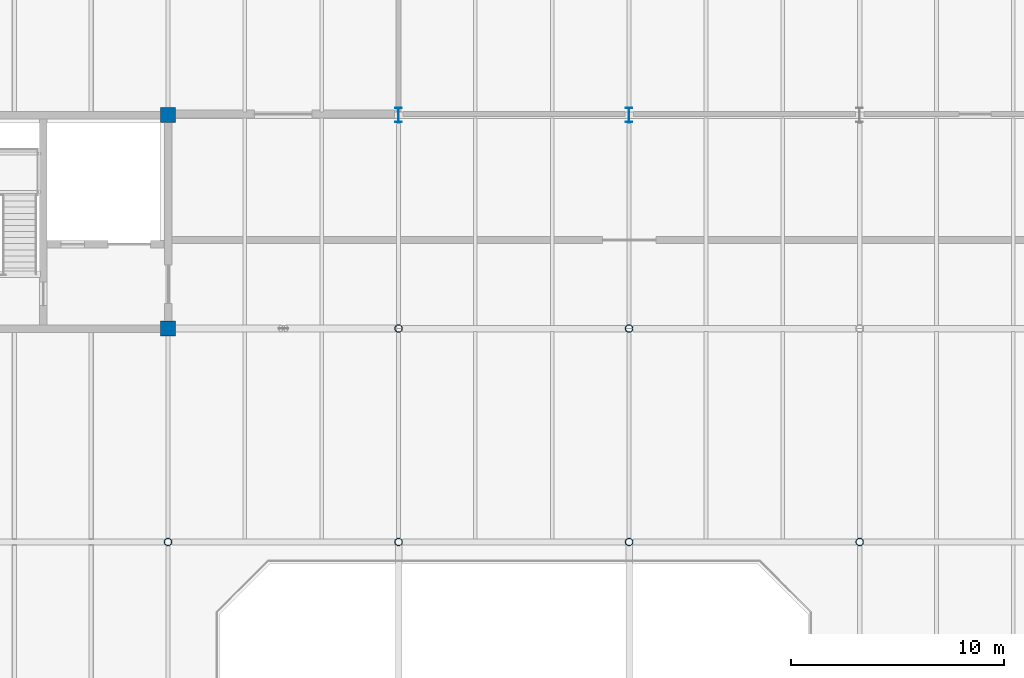
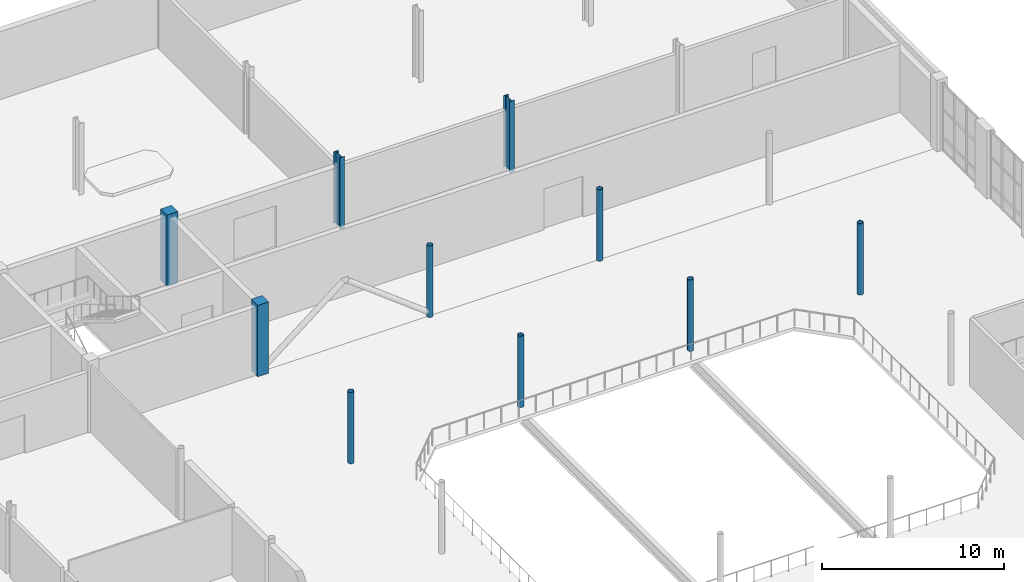
# One storey, part 12 of 92: 10 columns.
"""IFC4 building model written with IfcOpenShell, lengths in metres."""

import ifcopenshell
import ifcopenshell.guid

model = None  # the IFC model being written
_history = None  # IfcOwnerHistory: only IFC2X3 demands one
_inside = {}  # id of a spatial element -> (the spatial element, [elements in it])
_under = {}  # id of a project, library or spatial element -> (it, [spatial elements below it])
_declared = {}  # id of a project -> (the project, [libraries it declares])
_typed = {}  # id of a type object -> (the type object, [elements of that type])
_made_of = {}  # id of a material, layer set ... -> (it, [elements and type objects made of it])


def new_model(schema):
    """Start an empty IFC model of exactly this schema.

    Asked for "IFC4X3", IfcOpenShell would pick the latest addendum, in which some entities
    have other attributes; the version numbers below select the first issue.
    IFC2X3 requires an IfcOwnerHistory on every rooted entity: one is made here for all.
    """
    global model, _history
    if schema == "IFC4X3":
        model = ifcopenshell.file(schema_version=(4, 3, 0, 0))
    else:
        model = ifcopenshell.file(schema=schema)
    _inside.clear()
    _under.clear()
    _declared.clear()
    _typed.clear()
    _made_of.clear()
    _history = None
    if model.schema == "IFC2X3":
        org = make("IfcOrganization", Name="unknown")
        user = make(
            "IfcPersonAndOrganization",
            ThePerson=make("IfcPerson", FamilyName="unknown"),
            TheOrganization=org,
        )
        app = make(
            "IfcApplication",
            ApplicationDeveloper=org,
            Version="unknown",
            ApplicationFullName="unknown",
            ApplicationIdentifier="unknown",
        )
        _history = make(
            "IfcOwnerHistory",
            OwningUser=user,
            OwningApplication=app,
            ChangeAction="ADDED",
            CreationDate=0,
        )
    return model


def make(cls, **values):
    """One entity of the class cls with the attributes given. An attribute that is None is left unset."""
    return model.create_entity(
        cls, **{name: value for name, value in values.items() if value is not None}
    )


def rooted(cls, **values):
    """An entity with a GlobalId (a new one), such as an element, a storey or a relation."""
    return make(cls, GlobalId=ifcopenshell.guid.new(), OwnerHistory=_history, **values)


def si_unit(unit_type, name, prefix=None):
    """IfcSIUnit, for example si_unit("LENGTHUNIT", "METRE", prefix="MILLI")."""
    return make("IfcSIUnit", UnitType=unit_type, Prefix=prefix, Name=name)


def assignment(units):
    """IfcUnitAssignment: the units of a project."""
    return None if units is None else make("IfcUnitAssignment", Units=units)


def point(xyz):
    """IfcCartesianPoint."""
    return None if xyz is None else make("IfcCartesianPoint", Coordinates=xyz)


def direction(xyz):
    """IfcDirection."""
    return None if xyz is None else make("IfcDirection", DirectionRatios=xyz)


def frame(location, z_axis=None, x_axis=None):
    """IfcAxis2Placement3D, a coordinate frame: its origin and axes. An axis left out is left unset."""
    return make(
        "IfcAxis2Placement3D",
        Location=point(location),
        Axis=direction(z_axis),
        RefDirection=direction(x_axis),
    )


def frame_2d(location, x_axis=None):
    """IfcAxis2Placement2D, a coordinate frame in the plane: its origin and x axis."""
    return make(
        "IfcAxis2Placement2D", Location=point(location), RefDirection=direction(x_axis)
    )


def origin():
    """The frame at (0, 0, 0) with its axes left unset."""
    return frame((0.0, 0.0, 0.0))


def origin_2d():
    """The frame at (0, 0) in the plane with its x axis left unset."""
    return frame_2d((0.0, 0.0))


def place(relative_to, where):
    """IfcLocalPlacement: puts the frame where relative to a parent placement (None: the world)."""
    return make(
        "IfcLocalPlacement", PlacementRelTo=relative_to, RelativePlacement=where
    )


def context(
    kind, dimensions, precision=None, world=None, true_north=None, identifier=None
):
    """IfcGeometricRepresentationContext, for example the 3D "Model" context."""
    return make(
        "IfcGeometricRepresentationContext",
        ContextIdentifier=identifier,
        ContextType=kind,
        CoordinateSpaceDimension=dimensions,
        Precision=precision,
        WorldCoordinateSystem=world,
        TrueNorth=true_north,
    )


def subcontext(parent, identifier, kind, view, scale=None):
    """IfcGeometricRepresentationSubContext, for example "Body" below "Model"."""
    return make(
        "IfcGeometricRepresentationSubContext",
        ContextIdentifier=identifier,
        ContextType=kind,
        ParentContext=parent,
        TargetScale=scale,
        TargetView=view,
    )


def project(units=None, contexts=None):
    """IfcProject with its units and contexts."""
    return rooted(
        "IfcProject",
        Name="project",
        RepresentationContexts=contexts,
        UnitsInContext=assignment(units),
    )


def spatial(cls, under=None, at=None, **own):
    """A site, building, storey or space (cls), placed at a placement, below another one or the project."""
    s = rooted(cls, ObjectPlacement=at, **own)
    if under is not None:
        _under.setdefault(under.id(), (under, []))[1].append(s)
    return s


def profile(cls, at=None, kind="AREA", **sizes):
    """A parametric profile (cls). Its sizes go by their IFC names, for example OverallWidth=200.0."""
    return make(cls, ProfileType=kind, Position=at, **sizes)


def rectangle(**sizes):
    """IfcRectangleProfileDef."""
    return profile("IfcRectangleProfileDef", **sizes)


def hollow_circle(**sizes):
    """IfcCircleHollowProfileDef."""
    return profile("IfcCircleHollowProfileDef", **sizes)


def i_section(**sizes):
    """IfcIShapeProfileDef."""
    return profile("IfcIShapeProfileDef", **sizes)


def extrude(swept, where, along, depth):
    """IfcExtrudedAreaSolid: the profile swept, set in the frame where, extruded along a direction by depth."""
    return make(
        "IfcExtrudedAreaSolid",
        SweptArea=swept,
        Position=where,
        ExtrudedDirection=direction(along),
        Depth=depth,
    )


def shape(context_of_items, identifier, shape_type, items):
    """IfcShapeRepresentation: the items that make up one representation, for example the "Body"."""
    return make(
        "IfcShapeRepresentation",
        ContextOfItems=context_of_items,
        RepresentationIdentifier=identifier,
        RepresentationType=shape_type,
        Items=items,
    )


def material(Name=None, Category=None):
    """IfcMaterial."""
    return make("IfcMaterial", Name=Name, Category=Category)


def material_profile(
    of_material, cross_section, Name=None, Category=None, Priority=None
):
    """IfcMaterialProfile: a cross section and its material."""
    return make(
        "IfcMaterialProfile",
        Name=Name,
        Material=of_material,
        Profile=cross_section,
        Priority=Priority,
        Category=Category,
    )


def profile_set(profiles, Name=None, composite=None):
    """IfcMaterialProfileSet."""
    return make(
        "IfcMaterialProfileSet",
        Name=Name,
        MaterialProfiles=profiles,
        CompositeProfile=composite,
    )


def made_of(thing, what):
    """Note that an element or type object is made of a material, layer set ...; save() writes the relation."""
    if what is not None:
        _made_of.setdefault(what.id(), (what, []))[1].append(thing)
    return thing


def type_object(cls, material=None, **own):
    """A type object (cls), such as IfcWallType, which elements share."""
    return made_of(rooted(cls, **own), material)


def element(
    cls,
    number,
    at=None,
    inside=None,
    cuts=None,
    type_object=None,
    material=None,
    context=None,
    identifier="Body",
    shape_type=None,
    held_by="IfcProductDefinitionShape",
    body=None,
    shapes=None,
    **own,
):
    """One element of the class cls, such as IfcWall. Its Tag is "e" and its number.

    at: its placement. inside: the storey or other place that contains it. cuts: it is an
    opening in that element (IfcRelVoidsElement). A single representation is given by context,
    identifier, shape_type and body (its items); several are given by shapes. held_by: the class
    of the entity that holds the representations. save() writes the other relations.
    """
    e = rooted(cls, Tag="e%d" % number, ObjectPlacement=at, **own)
    if body is not None:
        shapes = [shape(context, identifier, shape_type, body)]
    if shapes is not None:
        e.Representation = make(held_by, Representations=shapes)
    if inside is not None:
        _inside.setdefault(inside.id(), (inside, []))[1].append(e)
    if cuts is not None:
        rooted(
            "IfcRelVoidsElement", RelatingBuildingElement=cuts, RelatedOpeningElement=e
        )
    if type_object is not None:
        _typed.setdefault(type_object.id(), (type_object, []))[1].append(e)
    return made_of(e, material)


def aggregate(whole, parts):
    """IfcRelAggregates: a whole, such as a stair, and the parts it consists of."""
    return rooted("IfcRelAggregates", RelatingObject=whole, RelatedObjects=parts)


def save(model, path):
    """Write the relations noted so far, then the file.

    IfcRelAggregates (storeys below a building ...), IfcRelContainedInSpatialStructure (elements
    in a storey), IfcRelDefinesByType, IfcRelAssociatesMaterial and IfcRelDeclares: one each for
    every whole, place, type object, material and project.
    """
    for whole, parts in _under.values():
        aggregate(whole, parts)
    for where, things in _inside.values():
        rooted(
            "IfcRelContainedInSpatialStructure",
            RelatedElements=things,
            RelatingStructure=where,
        )
    for kind, things in _typed.values():
        rooted("IfcRelDefinesByType", RelatedObjects=things, RelatingType=kind)
    for what, things in _made_of.values():
        rooted("IfcRelAssociatesMaterial", RelatedObjects=things, RelatingMaterial=what)
    for by, libraries in _declared.values():
        rooted("IfcRelDeclares", RelatingContext=by, RelatedDefinitions=libraries)
    model.write(path)


model = new_model("IFC4")

# Units and contexts
model_context = context("Model", 3, precision=1e-05, world=origin(), true_north=direction((0.0, 1.0)))
body_context = subcontext(model_context, "Body", "Model", "MODEL_VIEW")
ifc_project = project(units=[si_unit("LENGTHUNIT", "METRE"), si_unit("AREAUNIT", "SQUARE_METRE"), si_unit("VOLUMEUNIT", "CUBIC_METRE"), si_unit("PLANEANGLEUNIT", "RADIAN"), si_unit("MASSUNIT", "GRAM", prefix="KILO")], contexts=[model_context])

# Site, building, storey
site_placement = place(None, origin())
site = spatial("IfcSite", under=ifc_project, at=site_placement, CompositionType="ELEMENT")
building_placement = place(site_placement, origin())
building = spatial("IfcBuilding", under=site, at=building_placement, Name="Tasgan Crest Museum", CompositionType="ELEMENT")
storey_placement = place(building_placement, frame((0.0, 0.0, 4.800048828125)))
storey = spatial("IfcBuildingStorey", under=building, at=storey_placement, Name="L01", CompositionType="ELEMENT", Elevation=4.800048828125)

# Columns
ifc_material_1 = material(Name="Steel S355K2", Category="steel")
ifc_material_profile_1 = material_profile(ifc_material_1, hollow_circle(Radius=0.177734375, WallThickness=0.01611328125, at=origin_2d()), Name="CHS 355.6x16")
ifc_profile_set_1 = profile_set([ifc_material_profile_1], Name="Steel S355K2")
column_type_1 = type_object("IfcColumnType", Name="COL-CHS355", PredefinedType="COLUMN", material=ifc_profile_set_1)
for number, where, z_axis, x_axis, name in (
    (1, (64.800048828125, 72.0, 0.0), (0.0, 0.0, 1.0), (1.0, 0.0, 0.0), "Column 7/H L01"),
    (2, (75.60009765625, 72.0, 0.0), (0.0, 0.0, 1.0), (1.0, 0.0, 0.0), "Column 8/H L01"),
    (3, (75.60009765625, 82.0, 0.0), (0.0, 0.0, 1.0), (1.0, 0.0, 0.0), "Column 8/J L01"),
    (4, (86.39990234375, 72.0, 0.0), (0.0, 0.0, 1.0), (1.0, 0.0, 0.0), "Column 9/H L01"),
    (5, (86.39990234375, 82.0, 0.0), (0.0, 0.0, 1.0), (1.0, 0.0, 0.0), "Column 9/J L01"),
    (6, (97.199951171875, 72.0, 0.0), (0.0, 0.0, 1.0), (1.0, 0.0, 0.0), "Column 10/H L01"),
):
    element("IfcColumn", number, at=place(storey_placement, frame(where, z_axis=z_axis, x_axis=x_axis)), inside=storey, type_object=column_type_1, Name=name, PredefinedType="COLUMN", context=body_context, shape_type="SweptSolid", body=[
        extrude(hollow_circle(Radius=0.177734375, WallThickness=0.01611328125, at=origin_2d()), origin(), (0.0, 0.0, 1.0), 4.800048828125),
    ])
ifc_material_2 = material(Name="Steel S355K2", Category="steel")
ifc_material_profile_2 = material_profile(ifc_material_2, i_section(OverallWidth=0.300048828125, OverallDepth=0.68994140625, WebThickness=0.014404296875, FlangeThickness=0.027099609375, FilletRadius=0.027099609375, at=origin_2d()), Name="HEA 700")
ifc_profile_set_2 = profile_set([ifc_material_profile_2], Name="Steel S355K2")
column_type_2 = type_object("IfcColumnType", Name="COL-HEA700", PredefinedType="COLUMN", material=ifc_profile_set_2)
for number, where, z_axis, x_axis, name in (
    (7, (75.60009765625, 92.0, 0.0), (0.0, 0.0, 1.0), (1.0, 0.0, 0.0), "Column 8/K L01"),
    (8, (86.39990234375, 92.0, 0.0), (0.0, 0.0, 1.0), (1.0, 0.0, 0.0), "Column 9/K L01"),
):
    element("IfcColumn", number, at=place(storey_placement, frame(where, z_axis=z_axis, x_axis=x_axis)), inside=storey, type_object=column_type_2, Name=name, PredefinedType="COLUMN", context=body_context, shape_type="SweptSolid", body=[
        extrude(i_section(OverallWidth=0.300048828125, OverallDepth=0.68994140625, WebThickness=0.014404296875, FlangeThickness=0.027099609375, FilletRadius=0.027099609375, at=origin_2d()), origin(), (0.0, 0.0, 1.0), 4.800048828125),
    ])
ifc_material_3 = material(Name="Concrete C40/50", Category="concrete")
ifc_material_profile_3 = material_profile(ifc_material_3, rectangle(XDim=0.699951171875, YDim=0.699951171875, at=origin_2d()), Name="RC 700x700")
ifc_profile_set_3 = profile_set([ifc_material_profile_3], Name="Concrete C40/50")
column_type_3 = type_object("IfcColumnType", Name="COL-RC700", PredefinedType="COLUMN", material=ifc_profile_set_3)
for number, where, z_axis, x_axis, name in (
    (9, (64.800048828125, 82.0, 0.0), (0.0, 0.0, 1.0), (1.0, 0.0, 0.0), "Column 7/J L01"),
    (10, (64.800048828125, 92.0, 0.0), (0.0, 0.0, 1.0), (1.0, 0.0, 0.0), "Column 7/K L01"),
):
    element("IfcColumn", number, at=place(storey_placement, frame(where, z_axis=z_axis, x_axis=x_axis)), inside=storey, type_object=column_type_3, Name=name, PredefinedType="COLUMN", context=body_context, shape_type="SweptSolid", body=[
        extrude(rectangle(XDim=0.699951171875, YDim=0.699951171875, at=origin_2d()), origin(), (0.0, 0.0, 1.0), 4.800048828125),
    ])

save(model, "model.ifc")
